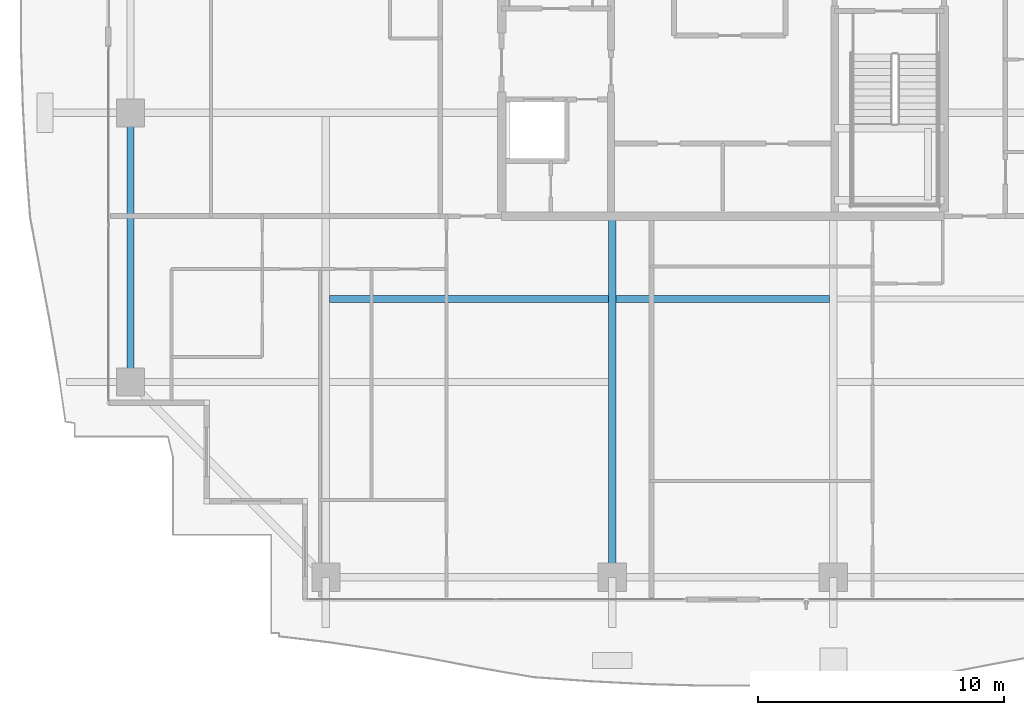
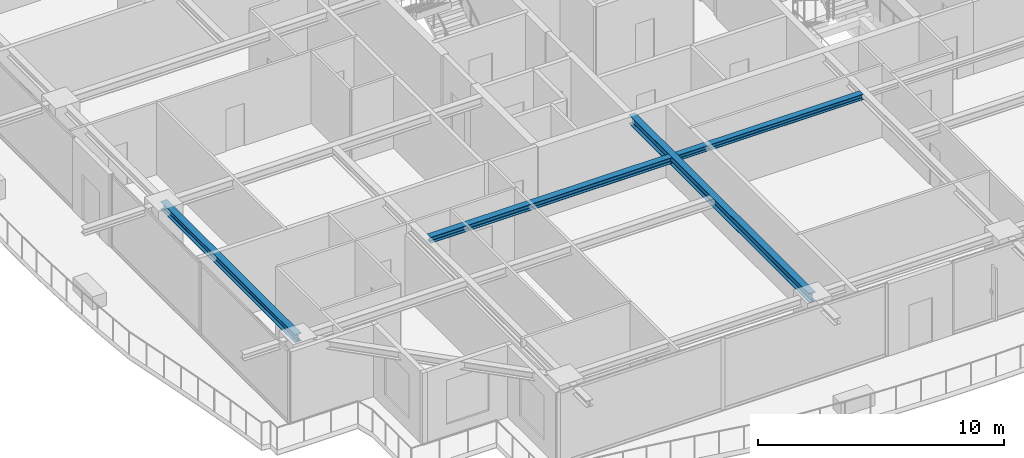
# One storey, part 6 of 37: 4 beams.
"""IFC4 building model written with IfcOpenShell, lengths in metres."""

from ifc_helpers import new_model, si_unit, direction, frame, origin, origin_2d, place, context, subcontext, project, spatial, i_section, extrude, source, transform, mapped, material, material_profile, profile_set, type_object, element, save


model = new_model("IFC4")

# Units and contexts
model_context = context("Model", 3, precision=1e-05, world=origin(), true_north=direction((0.0, 1.0)))
body_context = subcontext(model_context, "Body", "Model", "MODEL_VIEW")
ifc_project = project(units=[si_unit("LENGTHUNIT", "METRE"), si_unit("AREAUNIT", "SQUARE_METRE"), si_unit("VOLUMEUNIT", "CUBIC_METRE"), si_unit("PLANEANGLEUNIT", "RADIAN"), si_unit("MASSUNIT", "GRAM", prefix="KILO")], contexts=[model_context])

# Site, building, storey
site_placement = place(None, origin())
site = spatial("IfcSite", under=ifc_project, at=site_placement, CompositionType="ELEMENT")
building_placement = place(site_placement, origin())
building = spatial("IfcBuilding", under=site, at=building_placement, Name="Serunith Strait Residences", CompositionType="ELEMENT")
storey_placement = place(building_placement, frame((0.0, 0.0, 218.14990234375)))
storey = spatial("IfcBuildingStorey", under=building, at=storey_placement, Name="L54", CompositionType="ELEMENT", Elevation=218.14990234375)

# Beams
ifc_material = material(Name="Steel S355J2", Category="steel")
ifc_material_profile_1 = material_profile(ifc_material, i_section(OverallWidth=0.280029296875, OverallDepth=0.280029296875, WebThickness=0.010498046875, FlangeThickness=0.01806640625, FilletRadius=0.02392578125, at=origin_2d()), Name="HEB 280")
ifc_profile_set_1 = profile_set([ifc_material_profile_1], Name="Steel S355J2")
beam_type_1 = type_object("IfcBeamType", Name="BM-HEB280", PredefinedType="JOIST", material=ifc_profile_set_1)
shared_shape_1 = source(origin(), body_context, "Body", "SweptSolid", [
    extrude(i_section(OverallWidth=0.280029296875, OverallDepth=0.280029296875, WebThickness=0.010498046875, FlangeThickness=0.01806640625, FilletRadius=0.02392578125, at=origin_2d()), origin(), (0.0, 0.0, 1.0), 8.699951171875),
])
beam_1_placement = place(storey_placement, frame((28.050048828125, 13.425048828125, 3.447021484375), z_axis=(1.0, 0.0, 0.0), x_axis=(0.0, 1.0, 0.0)))
element("IfcBeam", 1, at=beam_1_placement, inside=storey, type_object=beam_type_1, Name="L54 Composite Floor Joist 02", PredefinedType="JOIST", context=body_context, shape_type="MappedRepresentation", body=[
    mapped(shared_shape_1, transform((0.0, 0.0, 0.0), scale=1.0)),
])
ifc_material_profile_2 = material_profile(ifc_material, i_section(OverallWidth=0.300048828125, OverallDepth=0.449951171875, WebThickness=0.013916015625, FlangeThickness=0.02587890625, FilletRadius=0.027099609375, at=origin_2d()), Name="HEB 450")
ifc_profile_set_2 = profile_set([ifc_material_profile_2], Name="Steel S355J2")
beam_type_2 = type_object("IfcBeamType", Name="BM-HEB450", PredefinedType="BEAM", material=ifc_profile_set_2)
shared_shape_2 = source(origin(), body_context, "Body", "SweptSolid", [
    extrude(i_section(OverallWidth=0.300048828125, OverallDepth=0.449951171875, WebThickness=0.013916015625, FlangeThickness=0.02587890625, FilletRadius=0.027099609375, at=origin_2d()), origin(), (0.0, 0.0, 1.0), 14.699951171875),
])
beam_2_placement = place(storey_placement, frame((27.89990234375, 16.800048828125, 3.362060546875), z_axis=(0.0, -1.0, 0.0), x_axis=(1.0, 0.0, 0.0)))
element("IfcBeam", 2, at=beam_2_placement, inside=storey, type_object=beam_type_2, Name="L54 Primary Floor Girder TC-S2", PredefinedType="BEAM", context=body_context, shape_type="MappedRepresentation", body=[
    mapped(shared_shape_2, transform((0.0, 0.0, 0.0), scale=1.0)),
])
ifc_material_profile_3 = material_profile(ifc_material, i_section(OverallWidth=0.300048828125, OverallDepth=0.39990234375, WebThickness=0.013427734375, FlangeThickness=0.02392578125, FilletRadius=0.027099609375, at=origin_2d()), Name="HEB 400")
ifc_profile_set_3 = profile_set([ifc_material_profile_3], Name="Steel S355J2")
beam_type_3 = type_object("IfcBeamType", Name="BM-HEB400", PredefinedType="BEAM", material=ifc_profile_set_3)
shared_shape_3 = source(origin(), body_context, "Body", "SweptSolid", [
    extrude(i_section(OverallWidth=0.300048828125, OverallDepth=0.39990234375, WebThickness=0.013427734375, FlangeThickness=0.02392578125, FilletRadius=0.027099609375, at=origin_2d()), origin(), (0.0, 0.0, 1.0), 10.949951171875),
])
beam_3_placement = place(storey_placement, frame((8.300048828125, 21.0, 3.38720703125), z_axis=(0.0, -1.0, 0.0), x_axis=(1.0, 0.0, 0.0)))
element("IfcBeam", 3, at=beam_3_placement, inside=storey, type_object=beam_type_3, Name="L54 Perimeter Ring Beam 15", PredefinedType="BEAM", context=body_context, shape_type="MappedRepresentation", body=[
    mapped(shared_shape_3, transform((0.0, 0.0, 0.0), scale=1.0)),
])
ifc_material_profile_4 = material_profile(ifc_material, i_section(OverallWidth=0.300048828125, OverallDepth=0.300048828125, WebThickness=0.010986328125, FlangeThickness=0.01904296875, FilletRadius=0.027099609375, at=origin_2d()), Name="HEB 300")
ifc_profile_set_4 = profile_set([ifc_material_profile_4], Name="Steel S355J2")
beam_type_4 = type_object("IfcBeamType", Name="BM-HEB300", PredefinedType="JOIST", material=ifc_profile_set_4)
shared_shape_4 = source(origin(), body_context, "Body", "SweptSolid", [
    extrude(i_section(OverallWidth=0.300048828125, OverallDepth=0.300048828125, WebThickness=0.010986328125, FlangeThickness=0.01904296875, FilletRadius=0.027099609375, at=origin_2d()), origin(), (0.0, 0.0, 1.0), 11.35009765625),
])
beam_4_placement = place(storey_placement, frame((16.39990234375, 13.425048828125, 3.43701171875), z_axis=(1.0, 0.0, 0.0), x_axis=(0.0, 1.0, 0.0)))
element("IfcBeam", 4, at=beam_4_placement, inside=storey, type_object=beam_type_4, Name="L54 Composite Floor Joist 01", PredefinedType="JOIST", context=body_context, shape_type="MappedRepresentation", body=[
    mapped(shared_shape_4, transform((0.0, 0.0, 0.0), scale=1.0)),
])

save(model, "model.ifc")
